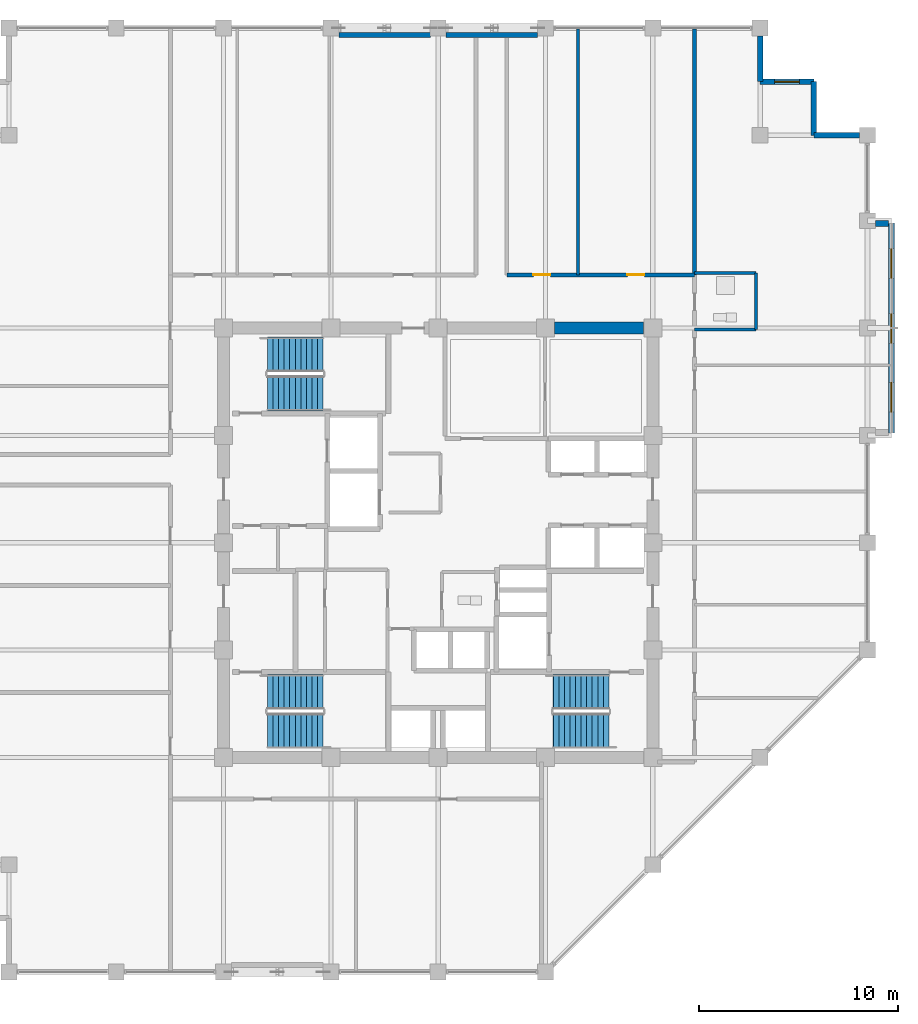
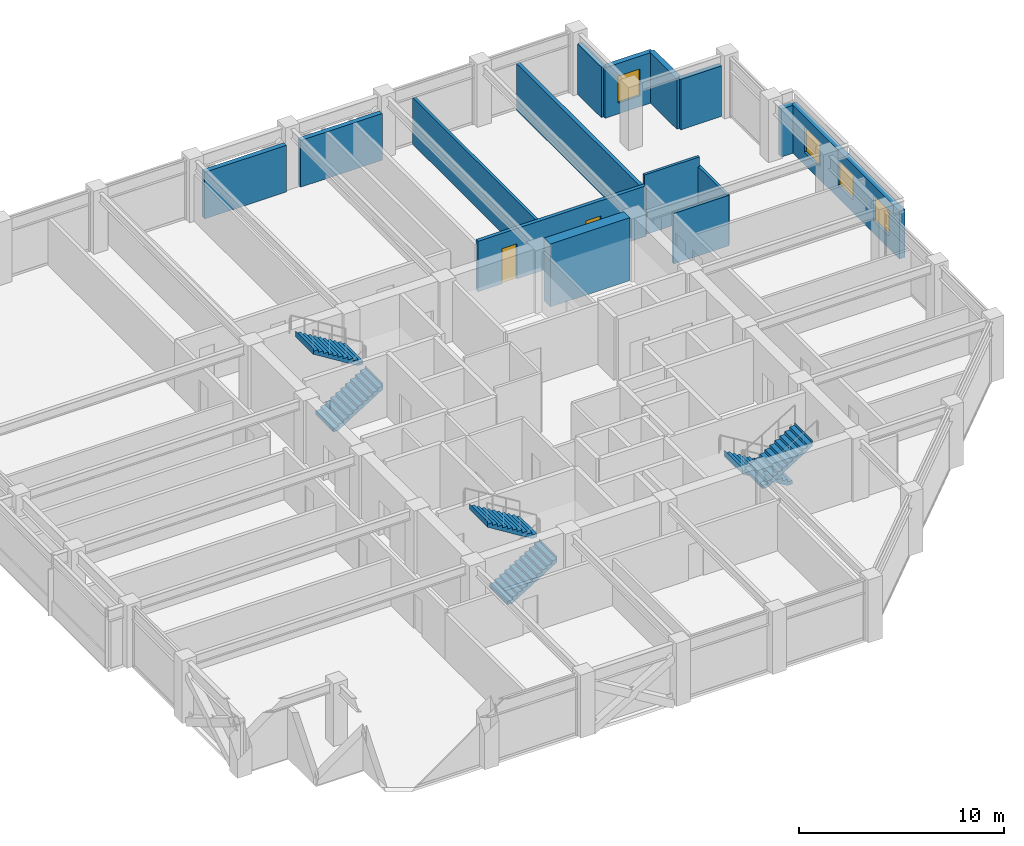
# One storey, part 29 of 32: 15 walls, 6 stair flights, 4 windows, 2 doors, 6 openings, 3 elements without a shape of their own.
"""IFC4 building model written with IfcOpenShell, lengths in metres."""

from ifc_helpers import new_model, si_unit, direction, frame, frame_2d, origin, place, context, subcontext, project, spatial, polyline, rectangle, outline, extrude, material, layer, layer_set, type_object, element, fill, aggregate, save


model = new_model("IFC4")

# Units and contexts
model_context = context("Model", 3, precision=1e-05, world=origin(), true_north=direction((0.0, 1.0)))
body_context = subcontext(model_context, "Body", "Model", "MODEL_VIEW")
ifc_project = project(units=[si_unit("LENGTHUNIT", "METRE"), si_unit("AREAUNIT", "SQUARE_METRE"), si_unit("VOLUMEUNIT", "CUBIC_METRE"), si_unit("PLANEANGLEUNIT", "RADIAN"), si_unit("MASSUNIT", "GRAM", prefix="KILO")], contexts=[model_context])

# Site, building, storey
site_placement = place(None, origin())
site = spatial("IfcSite", under=ifc_project, at=site_placement, CompositionType="ELEMENT")
building_placement = place(site_placement, origin())
building = spatial("IfcBuilding", under=site, at=building_placement, Name="Surkhivell Harbour Commons", CompositionType="ELEMENT")
storey_placement = place(building_placement, frame((0.0, 0.0, 234.75)))
storey = spatial("IfcBuildingStorey", under=building, at=storey_placement, Name="L61", CompositionType="ELEMENT", Elevation=234.75)

# Wall
ifc_material_1 = material(Name="Concrete C60/75", Category="concrete")
ifc_layer_1 = layer(ifc_material_1, 0.60009765625)
ifc_layer_set_1 = layer_set([ifc_layer_1], Name="Concrete C60/75")
wall_type_1 = type_object("IfcWallType", Name="WAL-CORE-600", PredefinedType="SHEAR", material=ifc_layer_set_1)
wall_1_placement = place(storey_placement, frame((5.860107421875, 10.800048828125, 0.0), z_axis=(0.0, 0.0, 1.0), x_axis=(1.0, 0.0, 0.0)))
element("IfcWall", 1, at=wall_1_placement, inside=storey, type_object=wall_type_1, Name="L61 Core Shear Wall North 4", PredefinedType="SHEAR", context=body_context, shape_type="SweptSolid", body=[
    extrude(rectangle(XDim=4.47998046875, YDim=0.60009765625, at=frame_2d((2.239990234375, 0.0))), origin(), (0.0, 0.0, 1.0), 3.75),
])

# Wall, openings, windows
ifc_material_2 = material(Name="Flemish-bond kiln brick and precast concrete C45/55", Category="masonry")
ifc_layer_2 = layer(ifc_material_2, 0.300048828125)
ifc_layer_set_2 = layer_set([ifc_layer_2], Name="Flemish-bond kiln brick and precast concrete C45/55")
wall_type_2 = type_object("IfcWallType", Name="WAL-EXT-BRK300", PredefinedType="STANDARD", material=ifc_layer_set_2)
wall_2_placement = place(storey_placement, frame((22.800048828125, 5.52001953125, 0.0), z_axis=(0.0, 0.0, 1.0), x_axis=(0.0, 1.0, 0.0)))
wall_2 = element("IfcWall", 2, at=wall_2_placement, inside=storey, type_object=wall_type_2, Name="L61 Coloured Box Front Wall 01", PredefinedType="STANDARD", context=body_context, shape_type="SweptSolid", body=[
    extrude(rectangle(XDim=10.56005859375, YDim=0.300048828125, at=frame_2d((5.280029296875, 0.0))), origin(), (0.0, 0.0, 1.0), 2.85693359375),
])
opening_1_placement = place(wall_2_placement, frame((1.044921875, 0.0, 0.75)))
opening_1 = element("IfcOpeningElement", 3, at=opening_1_placement, cuts=wall_2, Name="Opening WN-13", PredefinedType="OPENING", context=body_context, shape_type="SweptSolid", body=[
    extrude(rectangle(XDim=1.5, YDim=1.5, at=frame_2d((0.75, 0.75))), frame((0.0, 0.159912109375, 0.0), z_axis=(0.0, -1.0, 0.0), x_axis=(1.0, 0.0, 0.0)), (0.0, 0.0, 1.0), 0.320068359375),
])
opening_2_placement = place(wall_2_placement, frame((4.512451171875, 0.0, 0.75)))
opening_2 = element("IfcOpeningElement", 4, at=opening_2_placement, cuts=wall_2, Name="Opening WN-13", PredefinedType="OPENING", context=body_context, shape_type="SweptSolid", body=[
    extrude(rectangle(XDim=1.5, YDim=1.5, at=frame_2d((0.75, 0.75))), frame((0.0, 0.159912109375, 0.0), z_axis=(0.0, -1.0, 0.0), x_axis=(1.0, 0.0, 0.0)), (0.0, 0.0, 1.0), 0.320068359375),
])
opening_3_placement = place(wall_2_placement, frame((7.777587890625, 0.0, 0.75)))
opening_3 = element("IfcOpeningElement", 5, at=opening_3_placement, cuts=wall_2, Name="Opening WN-13", PredefinedType="OPENING", context=body_context, shape_type="SweptSolid", body=[
    extrude(rectangle(XDim=1.5, YDim=1.5, at=frame_2d((0.75, 0.75))), frame((0.0, 0.159912109375, 0.0), z_axis=(0.0, -1.0, 0.0), x_axis=(1.0, 0.0, 0.0)), (0.0, 0.0, 1.0), 0.320068359375),
])
ifc_material_3 = material(Name="Thermal-break aluminium frame and double low-E glazing", Category="aluminium")
window_type_1 = type_object("IfcWindowType", Name="WIN-BOX-1500x1500", PartitioningType="SINGLE_PANEL", PredefinedType="WINDOW", material=ifc_material_3)
window_1_placement = place(opening_1_placement, origin())
window_1 = element("IfcWindow", 6, at=window_1_placement, inside=storey, type_object=window_type_1, Name="L61 Coloured Box Square Window 01-1", OverallHeight=1.5, OverallWidth=1.5, PartitioningType="SINGLE_PANEL", PredefinedType="WINDOW", context=body_context, shape_type="SweptSolid", body=[
    extrude(rectangle(XDim=1.5, YDim=1.5, at=frame_2d((0.75, 0.75))), frame((0.0, 0.030029296875, 0.0), z_axis=(0.0, -1.0, 0.0), x_axis=(1.0, 0.0, 0.0)), (0.0, 0.0, 1.0), 0.06005859375),
])
fill(opening_1, window_1)
window_2_placement = place(opening_2_placement, origin())
window_2 = element("IfcWindow", 7, at=window_2_placement, inside=storey, type_object=window_type_1, Name="L61 Coloured Box Square Window 01-2", OverallHeight=1.5, OverallWidth=1.5, PartitioningType="SINGLE_PANEL", PredefinedType="WINDOW", context=body_context, shape_type="SweptSolid", body=[
    extrude(rectangle(XDim=1.5, YDim=1.5, at=frame_2d((0.75, 0.75))), frame((0.0, 0.030029296875, 0.0), z_axis=(0.0, -1.0, 0.0), x_axis=(1.0, 0.0, 0.0)), (0.0, 0.0, 1.0), 0.06005859375),
])
fill(opening_2, window_2)
window_3_placement = place(opening_3_placement, origin())
window_3 = element("IfcWindow", 8, at=window_3_placement, inside=storey, type_object=window_type_1, Name="L61 Coloured Box Square Window 01-3", OverallHeight=1.5, OverallWidth=1.5, PartitioningType="SINGLE_PANEL", PredefinedType="WINDOW", context=body_context, shape_type="SweptSolid", body=[
    extrude(rectangle(XDim=1.5, YDim=1.5, at=frame_2d((0.75, 0.75))), frame((0.0, 0.030029296875, 0.0), z_axis=(0.0, -1.0, 0.0), x_axis=(1.0, 0.0, 0.0)), (0.0, 0.0, 1.0), 0.06005859375),
])
fill(opening_3, window_3)

# Walls
wall_3_placement = place(storey_placement, frame((22.00390625, 16.06005859375, 0.0), z_axis=(0.0, 0.0, 1.0), x_axis=(1.0, 0.0, 0.0)))
element("IfcWall", 9, at=wall_3_placement, inside=storey, type_object=wall_type_2, Name="L61 Coloured Box Return Wall 01N", PredefinedType="STANDARD", context=body_context, shape_type="SweptSolid", body=[
    extrude(rectangle(XDim=0.656005859375, YDim=0.300048828125, at=frame_2d((0.328125, 0.0))), origin(), (0.0, 0.0, 1.0), 2.85693359375),
])
ifc_material_4 = material(Name="Pale-metal insulated precast concrete C45/55", Category="concrete")
ifc_layer_3 = layer(ifc_material_4, 0.260009765625)
ifc_layer_set_3 = layer_set([ifc_layer_3], Name="Pale-metal insulated precast concrete C45/55")
wall_type_3 = type_object("IfcWallType", Name="WAL-EXT-MTL260", PredefinedType="STANDARD", material=ifc_layer_set_3)
for number, where, z_axis, x_axis, name in (
    (10, (-0.39794921875, 25.5400390625, 0.0), (0.0, 0.0, 1.0), (-1.0, 0.0, 0.0), "L61 Braced-Bay Insulated Spandrel Backing N"),
    (11, (5.001953125, 25.5400390625, 0.0), (0.0, 0.0, 1.0), (-1.0, 0.0, 0.0), "L61 Braced-Bay Insulated Spandrel Backing N2"),
):
    element("IfcWall", number, at=place(storey_placement, frame(where, z_axis=z_axis, x_axis=x_axis)), inside=storey, type_object=wall_type_3, Name=name, PredefinedType="STANDARD", context=body_context, shape_type="SweptSolid", body=[
        extrude(rectangle(XDim=4.60400390625, YDim=0.260009765625, at=frame_2d((2.302001953125, 0.0))), origin(), (0.0, 0.0, 1.0), 2.780029296875),
    ])
ifc_material_5 = material(Name="Terracotta-clad reinforced concrete C45/55", Category="masonry")
ifc_layer_4 = layer(ifc_material_5, 0.280029296875)
ifc_layer_set_4 = layer_set([ifc_layer_4], Name="Terracotta-clad reinforced concrete C45/55")
wall_type_4 = type_object("IfcWallType", Name="WAL-EXT-TER280", PredefinedType="STANDARD", material=ifc_layer_set_4)
wall_4_placement = place(storey_placement, frame((21.201904296875, 20.5, 0.0), z_axis=(0.0, 0.0, 1.0), x_axis=(-1.0, 0.0, 0.0)))
element("IfcWall", 12, at=wall_4_placement, inside=storey, type_object=wall_type_4, Name="L61 Serrated Corner Facade Wall 03", PredefinedType="STANDARD", context=body_context, shape_type="SweptSolid", body=[
    extrude(rectangle(XDim=2.302001953125, YDim=0.280029296875, at=frame_2d((1.15087890625, 0.0))), origin(), (0.0, 0.0, 1.0), 3.006103515625),
])
wall_5_placement = place(storey_placement, frame((18.89990234375, 20.5, 0.0), z_axis=(0.0, 0.0, 1.0), x_axis=(0.0, 1.0, 0.0)))
element("IfcWall", 13, at=wall_5_placement, inside=storey, type_object=wall_type_4, Name="L61 Serrated Corner Facade Wall 04", PredefinedType="STANDARD", context=body_context, shape_type="SweptSolid", body=[
    extrude(rectangle(XDim=2.699951171875, YDim=0.280029296875, at=frame_2d((1.35009765625, 0.0))), origin(), (0.0, 0.0, 1.0), 3.006103515625),
])

# Wall, opening, window
wall_6_placement = place(storey_placement, frame((18.89990234375, 23.199951171875, 0.0), z_axis=(0.0, 0.0, 1.0), x_axis=(-1.0, 0.0, 0.0)))
wall_6 = element("IfcWall", 14, at=wall_6_placement, inside=storey, type_object=wall_type_4, Name="L61 Serrated Corner Facade Wall 05", PredefinedType="STANDARD", context=body_context, shape_type="SweptSolid", body=[
    extrude(rectangle(XDim=2.699951171875, YDim=0.280029296875, at=frame_2d((1.35009765625, 0.0))), origin(), (0.0, 0.0, 1.0), 3.006103515625),
])
opening_4_placement = place(wall_6_placement, frame((0.72509765625, 0.0, 0.64990234375)))
opening_4 = element("IfcOpeningElement", 15, at=opening_4_placement, cuts=wall_6, Name="Opening WN-09", PredefinedType="OPENING", context=body_context, shape_type="SweptSolid", body=[
    extrude(rectangle(XDim=1.25, YDim=1.60009765625, at=frame_2d((0.625, 0.800048828125))), frame((0.0, 0.14990234375, 0.0), z_axis=(0.0, -1.0, 0.0), x_axis=(1.0, 0.0, 0.0)), (0.0, 0.0, 1.0), 0.300048828125),
])
window_type_2 = type_object("IfcWindowType", Name="WIN-SER-1250x1600", PartitioningType="SINGLE_PANEL", PredefinedType="WINDOW", material=ifc_material_3)
window_4_placement = place(opening_4_placement, origin())
window_4 = element("IfcWindow", 16, at=window_4_placement, inside=storey, type_object=window_type_2, Name="L61 Serrated Alcove Window 05", OverallHeight=1.60009765625, OverallWidth=1.25, PartitioningType="SINGLE_PANEL", PredefinedType="WINDOW", context=body_context, shape_type="SweptSolid", body=[
    extrude(rectangle(XDim=1.25, YDim=1.60009765625, at=frame_2d((0.625, 0.800048828125))), frame((0.0, 0.030029296875, 0.0), z_axis=(0.0, -1.0, 0.0), x_axis=(1.0, 0.0, 0.0)), (0.0, 0.0, 1.0), 0.06005859375),
])
fill(opening_4, window_4)

# Walls
wall_7_placement = place(storey_placement, frame((16.199951171875, 23.199951171875, 0.0), z_axis=(0.0, 0.0, 1.0), x_axis=(0.0, 1.0, 0.0)))
element("IfcWall", 17, at=wall_7_placement, inside=storey, type_object=wall_type_4, Name="L61 Serrated Corner Facade Wall 06", PredefinedType="STANDARD", context=body_context, shape_type="SweptSolid", body=[
    extrude(rectangle(XDim=2.302001953125, YDim=0.280029296875, at=frame_2d((1.15087890625, 0.0))), origin(), (0.0, 0.0, 1.0), 3.006103515625),
])
ifc_material_6 = material(Name="Twin-stud acoustic fireboard partition", Category="other")
ifc_layer_5 = layer(ifc_material_6, 0.14990234375)
ifc_layer_set_5 = layer_set([ifc_layer_5], Name="Twin-stud acoustic fireboard partition")
wall_type_5 = type_object("IfcWallType", Name="WAL-INT-150", PredefinedType="PARTITIONING", material=ifc_layer_set_5)
wall_8_placement = place(storey_placement, frame((16.0, 10.72998046875, 0.0), z_axis=(0.0, 0.0, 1.0), x_axis=(0.0, 1.0, 0.0)))
element("IfcWall", 18, at=wall_8_placement, inside=storey, type_object=wall_type_5, Name="L61 East Partition BTHB", PredefinedType="PARTITIONING", context=body_context, shape_type="SweptSolid", body=[
    extrude(rectangle(XDim=2.85009765625, YDim=0.14990234375, at=frame_2d((1.425048828125, 0.0))), origin(), (0.0, 0.0, 1.0), 3.006103515625),
])
wall_9_placement = place(storey_placement, frame((12.89990234375, 13.580078125, 0.0), z_axis=(0.0, 0.0, 1.0), x_axis=(1.0, 0.0, 0.0)))
element("IfcWall", 19, at=wall_9_placement, inside=storey, type_object=wall_type_5, Name="L61 East Partition BTHN", PredefinedType="PARTITIONING", context=body_context, shape_type="SweptSolid", body=[
    extrude(rectangle(XDim=3.10009765625, YDim=0.14990234375, at=frame_2d((1.550048828125, 0.0))), origin(), (0.0, 0.0, 1.0), 3.570068359375),
])
wall_10_placement = place(storey_placement, frame((12.89990234375, 10.72998046875, 0.0), z_axis=(0.0, 0.0, 1.0), x_axis=(1.0, 0.0, 0.0)))
element("IfcWall", 20, at=wall_10_placement, inside=storey, type_object=wall_type_5, Name="L61 East Partition BTHS", PredefinedType="PARTITIONING", context=body_context, shape_type="SweptSolid", body=[
    extrude(rectangle(XDim=3.10009765625, YDim=0.14990234375, at=frame_2d((1.550048828125, 0.0))), origin(), (0.0, 0.0, 1.0), 3.006103515625),
])
wall_11_placement = place(storey_placement, frame((7.0400390625, 13.47998046875, 0.0), z_axis=(0.0, 0.0, 1.0), x_axis=(0.0, 1.0, 0.0)))
element("IfcWall", 21, at=wall_11_placement, inside=storey, type_object=wall_type_5, Name="L61 North-East Partition P1", PredefinedType="PARTITIONING", context=body_context, shape_type="SweptSolid", body=[
    extrude(rectangle(XDim=12.360107421875, YDim=0.14990234375, at=frame_2d((6.18017578125, 0.0))), origin(), (0.0, 0.0, 1.0), 2.780029296875),
])
ifc_material_7 = material(Name="Autoclaved aerated concrete blockwork and fire plaster", Category="masonry")
ifc_layer_6 = layer(ifc_material_7, 0.199951171875)
ifc_layer_set_6 = layer_set([ifc_layer_6], Name="Autoclaved aerated concrete blockwork and fire plaster")
wall_type_6 = type_object("IfcWallType", Name="WAL-INT-200", PredefinedType="PARTITIONING", material=ifc_layer_set_6)
wall_12_placement = place(storey_placement, frame((12.89990234375, 13.47998046875, 0.0), z_axis=(0.0, 0.0, 1.0), x_axis=(0.0, 1.0, 0.0)))
element("IfcWall", 22, at=wall_12_placement, inside=storey, type_object=wall_type_6, Name="L61 North-East Corner Wall", PredefinedType="PARTITIONING", context=body_context, shape_type="SweptSolid", body=[
    extrude(rectangle(XDim=12.360107421875, YDim=0.199951171875, at=frame_2d((6.18017578125, 0.0))), origin(), (0.0, 0.0, 1.0), 2.780029296875),
])

# Wall, openings, doors
wall_13_placement = place(storey_placement, frame((3.449951171875, 13.47998046875, 0.0), z_axis=(0.0, 0.0, 1.0), x_axis=(1.0, 0.0, 0.0)))
wall_13 = element("IfcWall", 23, at=wall_13_placement, inside=storey, type_object=wall_type_6, Name="L61 Corridor North-East Wall", PredefinedType="PARTITIONING", context=body_context, shape_type="SweptSolid", body=[
    extrude(rectangle(XDim=9.449951171875, YDim=0.199951171875, at=frame_2d((4.72509765625, 0.0))), origin(), (0.0, 0.0, 1.0), 3.006103515625),
])
opening_5_placement = place(wall_13_placement, frame((1.344970703125, 0.0, 0.0)))
opening_5 = element("IfcOpeningElement", 24, at=opening_5_placement, cuts=wall_13, Name="Opening ID-6", PredefinedType="OPENING", context=body_context, shape_type="SweptSolid", body=[
    extrude(rectangle(XDim=0.85009765625, YDim=2.10009765625, at=frame_2d((0.425048828125, 1.050048828125))), frame((0.0, 0.10986328125, 0.0), z_axis=(0.0, -1.0, 0.0), x_axis=(1.0, 0.0, 0.0)), (0.0, 0.0, 1.0), 0.219970703125),
])
opening_6_placement = place(wall_13_placement, frame((6.070068359375, 0.0, 0.0)))
opening_6 = element("IfcOpeningElement", 25, at=opening_6_placement, cuts=wall_13, Name="Opening ID-6", PredefinedType="OPENING", context=body_context, shape_type="SweptSolid", body=[
    extrude(rectangle(XDim=0.85009765625, YDim=2.10009765625, at=frame_2d((0.425048828125, 1.050048828125))), frame((0.0, 0.10986328125, 0.0), z_axis=(0.0, -1.0, 0.0), x_axis=(1.0, 0.0, 0.0)), (0.0, 0.0, 1.0), 0.219970703125),
])
ifc_material_8 = material(Name="Hardwood-veneered fire-rated door leaf", Category="wood")
door_type = type_object("IfcDoorType", Name="DOR-FD30-850", OperationType="NOTDEFINED", PredefinedType="DOOR", material=ifc_material_8)
door_1_placement = place(opening_5_placement, origin())
door_1 = element("IfcDoor", 26, at=door_1_placement, inside=storey, type_object=door_type, Name="L61 Harbour Reading Library North-East Door", OperationType="SINGLE_SWING_LEFT", OverallHeight=2.10009765625, OverallWidth=0.85009765625, PredefinedType="DOOR", context=body_context, shape_type="SweptSolid", body=[
    extrude(rectangle(XDim=0.85009765625, YDim=2.10009765625, at=frame_2d((0.425048828125, 1.050048828125))), frame((0.0, 0.02490234375, 0.0), z_axis=(0.0, -1.0, 0.0), x_axis=(1.0, 0.0, 0.0)), (0.0, 0.0, 1.0), 0.050048828125),
])
fill(opening_5, door_1)
door_2_placement = place(opening_6_placement, origin())
door_2 = element("IfcDoor", 27, at=door_2_placement, inside=storey, type_object=door_type, Name="L61 Communal Dining Hall North-East Door", OperationType="SINGLE_SWING_RIGHT", OverallHeight=2.10009765625, OverallWidth=0.85009765625, PredefinedType="DOOR", context=body_context, shape_type="SweptSolid", body=[
    extrude(rectangle(XDim=0.85009765625, YDim=2.10009765625, at=frame_2d((0.425048828125, 1.050048828125))), frame((0.0, 0.02490234375, 0.0), z_axis=(0.0, -1.0, 0.0), x_axis=(1.0, 0.0, 0.0)), (0.0, 0.0, 1.0), 0.050048828125),
])
fill(opening_6, door_2)

# Stair, stair flights
ifc_material_9 = material(Name="Precast concrete C45/55", Category="concrete")
stair_type = type_object("IfcStairType", Name="STR-DL-375", PredefinedType="HALF_TURN_STAIR", material=ifc_material_9)
stair_1_placement = place(storey_placement, origin())
stair_1 = element("IfcStair", 28, at=stair_1_placement, inside=storey, type_object=stair_type, Name="L61 Core Exit Stair ST1", PredefinedType="HALF_TURN_STAIR")
stair_flight_type = type_object("IfcStairFlightType", Name="STF-DL-375", PredefinedType="STRAIGHT", material=ifc_material_9)
stair_flight_1_placement = place(storey_placement, frame((-8.590087890625, 7.514892578125, 0.0), z_axis=(0.0, 0.0, 1.0), x_axis=(1.0, 0.0, 0.0)))
stair_flight_1 = element("IfcStairFlight", 29, at=stair_flight_1_placement, type_object=stair_flight_type, Name="ST1 flight 1", NumberOfRisers=11, NumberOfTreads=10, PredefinedType="STRAIGHT", RiserHeight=0.170454545, TreadLength=0.28, context=body_context, shape_type="SweptSolid", body=[
    extrude(outline(polyline([(-0.0029296875, -0.034912109375), (-0.0029296875, 0.0), (0.0, 0.0), (0.0, 0.17041015625), (0.280029296875, 0.17041015625), (0.280029296875, 0.3408203125), (0.56005859375, 0.3408203125), (0.56005859375, 0.511474609375), (0.840087890625, 0.511474609375), (0.840087890625, 0.681884765625), (1.1201171875, 0.681884765625), (1.1201171875, 0.852294921875), (1.39990234375, 0.852294921875), (1.39990234375, 1.022705078125), (1.679931640625, 1.022705078125), (1.679931640625, 1.193115234375), (1.9599609375, 1.193115234375), (1.9599609375, 1.363525390625), (2.239990234375, 1.363525390625), (2.239990234375, 1.5341796875), (2.52001953125, 1.5341796875), (2.52001953125, 1.70458984375), (2.800048828125, 1.70458984375), (2.800048828125, 1.875), (2.802978515625, 1.875), (2.802978515625, 1.529052734375), (0.288330078125, -0.034912109375), (-0.0029296875, -0.034912109375)])), frame((0.0, 0.875, 0.0), z_axis=(0.0, -1.0, 0.0), x_axis=(1.0, 0.0, 0.0)), (0.0, 0.0, 1.0), 1.75),
])
stair_flight_2_placement = place(storey_placement, frame((-5.7900390625, 9.465087890625, 1.875), z_axis=(0.0, 0.0, 1.0), x_axis=(-1.0, 0.0, 0.0)))
stair_flight_2 = element("IfcStairFlight", 30, at=stair_flight_2_placement, type_object=stair_flight_type, Name="ST1 flight 2", NumberOfRisers=11, NumberOfTreads=10, PredefinedType="STRAIGHT", RiserHeight=0.170454545, TreadLength=0.28, context=body_context, shape_type="SweptSolid", body=[
    extrude(outline(polyline([(-0.0029296875, -0.034912109375), (-0.0029296875, 0.0), (0.0, 0.0), (0.0, 0.17041015625), (0.280029296875, 0.17041015625), (0.280029296875, 0.3408203125), (0.56005859375, 0.3408203125), (0.56005859375, 0.511474609375), (0.840087890625, 0.511474609375), (0.840087890625, 0.681884765625), (1.1201171875, 0.681884765625), (1.1201171875, 0.852294921875), (1.39990234375, 0.852294921875), (1.39990234375, 1.022705078125), (1.679931640625, 1.022705078125), (1.679931640625, 1.193115234375), (1.9599609375, 1.193115234375), (1.9599609375, 1.363525390625), (2.239990234375, 1.363525390625), (2.239990234375, 1.5341796875), (2.52001953125, 1.5341796875), (2.52001953125, 1.70458984375), (2.800048828125, 1.70458984375), (2.800048828125, 1.875), (2.802978515625, 1.875), (2.802978515625, 1.529052734375), (0.288330078125, -0.034912109375), (-0.0029296875, -0.034912109375)])), frame((0.0, 0.875, 0.0), z_axis=(0.0, -1.0, 0.0), x_axis=(1.0, 0.0, 0.0)), (0.0, 0.0, 1.0), 1.75),
])
aggregate(stair_1, [stair_flight_1, stair_flight_2])

stair_2_placement = place(storey_placement, origin())
stair_2 = element("IfcStair", 31, at=stair_2_placement, inside=storey, type_object=stair_type, Name="L61 Core Exit Stair ST2", PredefinedType="HALF_TURN_STAIR")
stair_flight_3_placement = place(storey_placement, frame((8.590087890625, -7.514892578125, 0.0), z_axis=(0.0, 0.0, 1.0), x_axis=(-1.0, 0.0, 0.0)))
stair_flight_3 = element("IfcStairFlight", 32, at=stair_flight_3_placement, type_object=stair_flight_type, Name="ST2 flight 1", NumberOfRisers=11, NumberOfTreads=10, PredefinedType="STRAIGHT", RiserHeight=0.170454545, TreadLength=0.28, context=body_context, shape_type="SweptSolid", body=[
    extrude(outline(polyline([(-0.0029296875, -0.034912109375), (-0.0029296875, 0.0), (0.0, 0.0), (0.0, 0.17041015625), (0.280029296875, 0.17041015625), (0.280029296875, 0.3408203125), (0.56005859375, 0.3408203125), (0.56005859375, 0.511474609375), (0.840087890625, 0.511474609375), (0.840087890625, 0.681884765625), (1.1201171875, 0.681884765625), (1.1201171875, 0.852294921875), (1.39990234375, 0.852294921875), (1.39990234375, 1.022705078125), (1.679931640625, 1.022705078125), (1.679931640625, 1.193115234375), (1.9599609375, 1.193115234375), (1.9599609375, 1.363525390625), (2.239990234375, 1.363525390625), (2.239990234375, 1.5341796875), (2.52001953125, 1.5341796875), (2.52001953125, 1.70458984375), (2.800048828125, 1.70458984375), (2.800048828125, 1.875), (2.802978515625, 1.875), (2.802978515625, 1.529052734375), (0.288330078125, -0.034912109375), (-0.0029296875, -0.034912109375)])), frame((0.0, 0.875, 0.0), z_axis=(0.0, -1.0, 0.0), x_axis=(1.0, 0.0, 0.0)), (0.0, 0.0, 1.0), 1.75),
])
stair_flight_4_placement = place(storey_placement, frame((5.7900390625, -9.465087890625, 1.875), z_axis=(0.0, 0.0, 1.0), x_axis=(1.0, 0.0, 0.0)))
stair_flight_4 = element("IfcStairFlight", 33, at=stair_flight_4_placement, type_object=stair_flight_type, Name="ST2 flight 2", NumberOfRisers=11, NumberOfTreads=10, PredefinedType="STRAIGHT", RiserHeight=0.170454545, TreadLength=0.28, context=body_context, shape_type="SweptSolid", body=[
    extrude(outline(polyline([(-0.0029296875, -0.034912109375), (-0.0029296875, 0.0), (0.0, 0.0), (0.0, 0.17041015625), (0.280029296875, 0.17041015625), (0.280029296875, 0.3408203125), (0.56005859375, 0.3408203125), (0.56005859375, 0.511474609375), (0.840087890625, 0.511474609375), (0.840087890625, 0.681884765625), (1.1201171875, 0.681884765625), (1.1201171875, 0.852294921875), (1.39990234375, 0.852294921875), (1.39990234375, 1.022705078125), (1.679931640625, 1.022705078125), (1.679931640625, 1.193115234375), (1.9599609375, 1.193115234375), (1.9599609375, 1.363525390625), (2.239990234375, 1.363525390625), (2.239990234375, 1.5341796875), (2.52001953125, 1.5341796875), (2.52001953125, 1.70458984375), (2.800048828125, 1.70458984375), (2.800048828125, 1.875), (2.802978515625, 1.875), (2.802978515625, 1.529052734375), (0.288330078125, -0.034912109375), (-0.0029296875, -0.034912109375)])), frame((0.0, 0.875, 0.0), z_axis=(0.0, -1.0, 0.0), x_axis=(1.0, 0.0, 0.0)), (0.0, 0.0, 1.0), 1.75),
])
aggregate(stair_2, [stair_flight_3, stair_flight_4])

stair_3_placement = place(storey_placement, origin())
stair_3 = element("IfcStair", 34, at=stair_3_placement, inside=storey, type_object=stair_type, Name="L61 Core Exit Stair ST3", PredefinedType="HALF_TURN_STAIR")
stair_flight_5_placement = place(storey_placement, frame((-8.590087890625, -9.465087890625, 0.0), z_axis=(0.0, 0.0, 1.0), x_axis=(1.0, 0.0, 0.0)))
stair_flight_5 = element("IfcStairFlight", 35, at=stair_flight_5_placement, type_object=stair_flight_type, Name="ST3 flight 1", NumberOfRisers=11, NumberOfTreads=10, PredefinedType="STRAIGHT", RiserHeight=0.170454545, TreadLength=0.28, context=body_context, shape_type="SweptSolid", body=[
    extrude(outline(polyline([(-0.0029296875, -0.034912109375), (-0.0029296875, 0.0), (0.0, 0.0), (0.0, 0.17041015625), (0.280029296875, 0.17041015625), (0.280029296875, 0.3408203125), (0.56005859375, 0.3408203125), (0.56005859375, 0.511474609375), (0.840087890625, 0.511474609375), (0.840087890625, 0.681884765625), (1.1201171875, 0.681884765625), (1.1201171875, 0.852294921875), (1.39990234375, 0.852294921875), (1.39990234375, 1.022705078125), (1.679931640625, 1.022705078125), (1.679931640625, 1.193115234375), (1.9599609375, 1.193115234375), (1.9599609375, 1.363525390625), (2.239990234375, 1.363525390625), (2.239990234375, 1.5341796875), (2.52001953125, 1.5341796875), (2.52001953125, 1.70458984375), (2.800048828125, 1.70458984375), (2.800048828125, 1.875), (2.802978515625, 1.875), (2.802978515625, 1.529052734375), (0.288330078125, -0.034912109375), (-0.0029296875, -0.034912109375)])), frame((0.0, 0.875, 0.0), z_axis=(0.0, -1.0, 0.0), x_axis=(1.0, 0.0, 0.0)), (0.0, 0.0, 1.0), 1.75),
])
stair_flight_6_placement = place(storey_placement, frame((-5.7900390625, -7.514892578125, 1.875), z_axis=(0.0, 0.0, 1.0), x_axis=(-1.0, 0.0, 0.0)))
stair_flight_6 = element("IfcStairFlight", 36, at=stair_flight_6_placement, type_object=stair_flight_type, Name="ST3 flight 2", NumberOfRisers=11, NumberOfTreads=10, PredefinedType="STRAIGHT", RiserHeight=0.170454545, TreadLength=0.28, context=body_context, shape_type="SweptSolid", body=[
    extrude(outline(polyline([(-0.0029296875, -0.034912109375), (-0.0029296875, 0.0), (0.0, 0.0), (0.0, 0.17041015625), (0.280029296875, 0.17041015625), (0.280029296875, 0.3408203125), (0.56005859375, 0.3408203125), (0.56005859375, 0.511474609375), (0.840087890625, 0.511474609375), (0.840087890625, 0.681884765625), (1.1201171875, 0.681884765625), (1.1201171875, 0.852294921875), (1.39990234375, 0.852294921875), (1.39990234375, 1.022705078125), (1.679931640625, 1.022705078125), (1.679931640625, 1.193115234375), (1.9599609375, 1.193115234375), (1.9599609375, 1.363525390625), (2.239990234375, 1.363525390625), (2.239990234375, 1.5341796875), (2.52001953125, 1.5341796875), (2.52001953125, 1.70458984375), (2.800048828125, 1.70458984375), (2.800048828125, 1.875), (2.802978515625, 1.875), (2.802978515625, 1.529052734375), (0.288330078125, -0.034912109375), (-0.0029296875, -0.034912109375)])), frame((0.0, 0.875, 0.0), z_axis=(0.0, -1.0, 0.0), x_axis=(1.0, 0.0, 0.0)), (0.0, 0.0, 1.0), 1.75),
])
aggregate(stair_3, [stair_flight_5, stair_flight_6])

save(model, "model.ifc")
